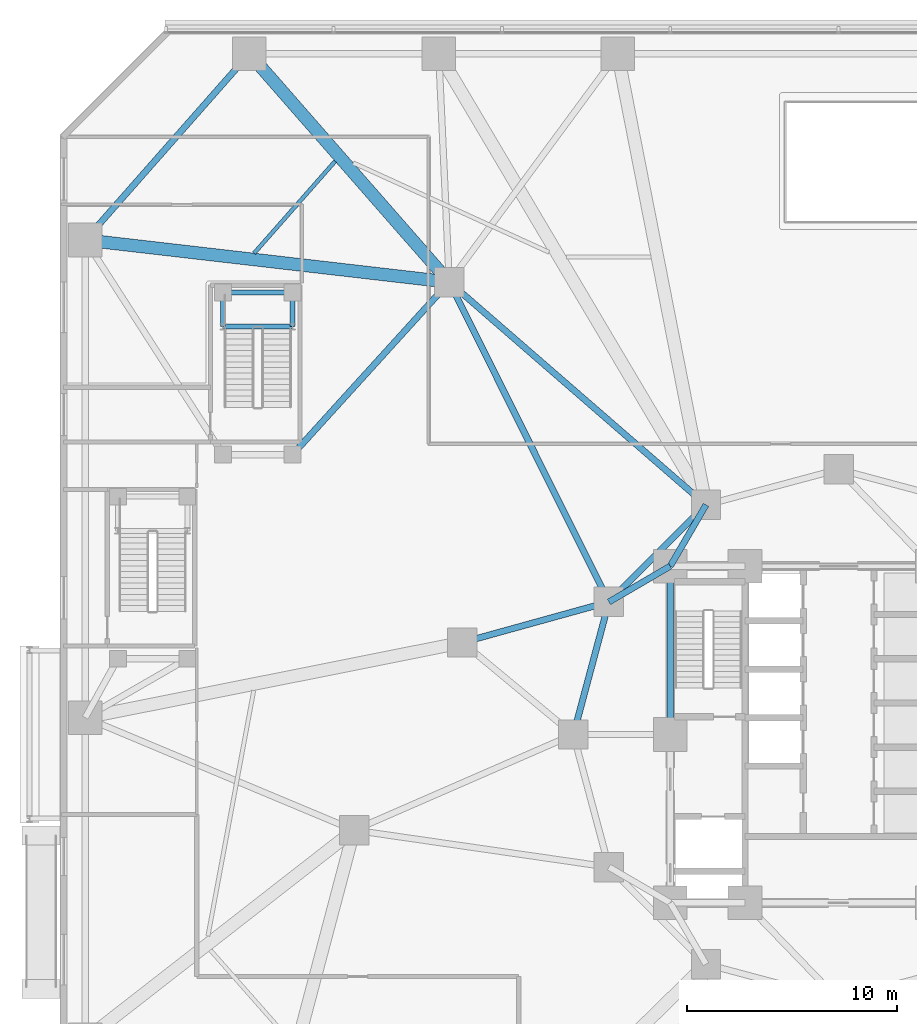
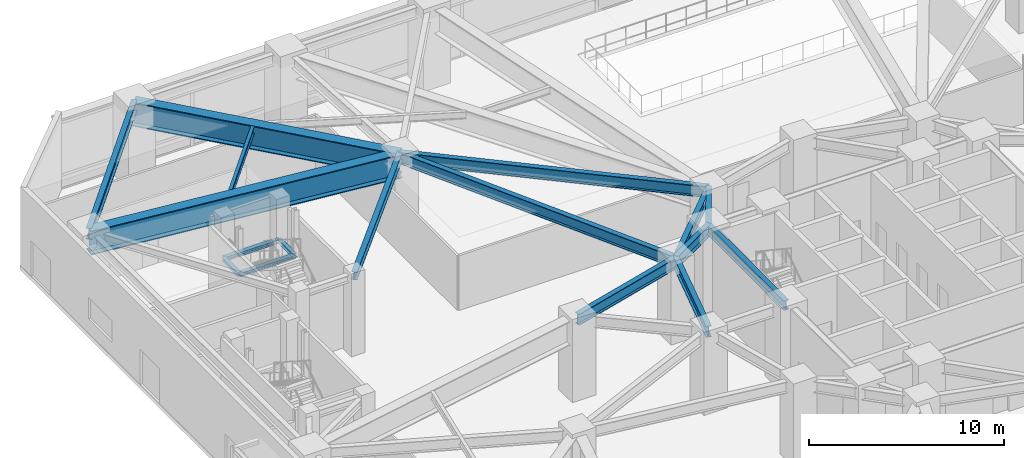
# One storey, part 9 of 30: 17 beams.
"""IFC4 building model written with IfcOpenShell, lengths in metres."""

from ifc_helpers import new_model, si_unit, direction, frame, origin, origin_2d, place, context, subcontext, project, spatial, i_section, extrude, material, material_profile, profile_set, type_object, element, save


model = new_model("IFC4")

# Units and contexts
model_context = context("Model", 3, precision=1e-05, world=origin(), true_north=direction((0.0, 1.0)))
body_context = subcontext(model_context, "Body", "Model", "MODEL_VIEW")
ifc_project = project(units=[si_unit("LENGTHUNIT", "METRE"), si_unit("AREAUNIT", "SQUARE_METRE"), si_unit("VOLUMEUNIT", "CUBIC_METRE"), si_unit("PLANEANGLEUNIT", "RADIAN"), si_unit("MASSUNIT", "GRAM", prefix="KILO")], contexts=[model_context])

# Site, building, storey
site_placement = place(None, origin())
site = spatial("IfcSite", under=ifc_project, at=site_placement, CompositionType="ELEMENT")
building_placement = place(site_placement, origin())
building = spatial("IfcBuilding", under=site, at=building_placement, Name="Terralouvre Media Tower", CompositionType="ELEMENT")
storey_placement = place(building_placement, origin())
storey = spatial("IfcBuildingStorey", under=building, at=storey_placement, Name="L00", CompositionType="ELEMENT", Elevation=0.0)

# Beams
ifc_material_1 = material(Name="Structural steel S355J2", Category="steel")
ifc_material_profile_1 = material_profile(ifc_material_1, i_section(OverallWidth=0.18994140625, OverallDepth=0.449951171875, WebThickness=0.009521484375, FlangeThickness=0.0146484375, at=origin_2d()), Name="IPE 450")
ifc_profile_set_1 = profile_set([ifc_material_profile_1], Name="Structural steel S355J2")
beam_type_1 = type_object("IfcBeamType", Name="Composite Floor Joist J-IPE450 (IPE 450)", PredefinedType="JOIST", material=ifc_profile_set_1)
beam_1_placement = place(storey_placement, frame((-23.923828125, 27.241943359375, 4.72509765625), z_axis=(-0.661186189243, -0.750221849292, 0.0), x_axis=(0.750221849292, -0.661186189243, 0.0)))
element("IfcBeam", 1, at=beam_1_placement, inside=storey, type_object=beam_type_1, Name="L00 Framing Beam JT-L00-16", PredefinedType="JOIST", context=body_context, shape_type="SweptSolid", body=[
    extrude(i_section(OverallWidth=0.18994140625, OverallDepth=0.449951171875, WebThickness=0.009521484375, FlangeThickness=0.0146484375, at=origin_2d()), origin(), (0.0, 0.0, 1.0), 5.82421875),
])
ifc_material_2 = material(Name="Structural steel S355J2", Category="steel")
ifc_material_profile_2 = material_profile(ifc_material_2, i_section(OverallWidth=0.239990234375, OverallDepth=0.239990234375, WebThickness=0.010009765625, FlangeThickness=0.01708984375, at=origin_2d()), Name="HEB 240")
ifc_profile_set_2 = profile_set([ifc_material_profile_2], Name="Structural steel S355J2")
beam_type_2 = type_object("IfcBeamType", Name="Opening Lintel Beam LN-240H (HEB 240)", PredefinedType="LINTEL", material=ifc_profile_set_2)
for number, where, z_axis, x_axis, name in (
    (2, (-29.25, 19.3798828125, 2.280029296875), (0.0, 1.0, 0.0), (-1.0, 0.0, 0.0), "L00 ST-06 Intermediate Landing Support Beam 1W"),
    (3, (-25.949951171875, 19.3798828125, 2.280029296875), (0.0, 1.0, 0.0), (-1.0, 0.0, 0.0), "L00 ST-06 Intermediate Landing Support Beam 1E"),
):
    element("IfcBeam", number, at=place(storey_placement, frame(where, z_axis=z_axis, x_axis=x_axis)), inside=storey, type_object=beam_type_2, Name=name, PredefinedType="LINTEL", context=body_context, shape_type="SweptSolid", body=[
        extrude(i_section(OverallWidth=0.239990234375, OverallDepth=0.239990234375, WebThickness=0.010009765625, FlangeThickness=0.01708984375, at=origin_2d()), origin(), (0.0, 0.0, 1.0), 1.6201171875),
    ])
for number, where, z_axis, x_axis, name in (
    (4, (-29.25, 19.3798828125, 2.280029296875), (1.0, 0.0, 0.0), (0.0, 1.0, 0.0), "L00 ST-06 Intermediate Landing Support Beam 1S"),
    (5, (-29.25, 21.0, 2.280029296875), (1.0, 0.0, 0.0), (0.0, 1.0, 0.0), "L00 ST-06 Intermediate Landing Support Beam 1X"),
):
    element("IfcBeam", number, at=place(storey_placement, frame(where, z_axis=z_axis, x_axis=x_axis)), inside=storey, type_object=beam_type_2, Name=name, PredefinedType="LINTEL", context=body_context, shape_type="SweptSolid", body=[
        extrude(i_section(OverallWidth=0.239990234375, OverallDepth=0.239990234375, WebThickness=0.010009765625, FlangeThickness=0.01708984375, at=origin_2d()), origin(), (0.0, 0.0, 1.0), 3.300048828125),
    ])
ifc_material_3 = material(Name="Structural steel S355J2", Category="steel")
ifc_material_profile_3 = material_profile(ifc_material_3, i_section(OverallWidth=0.300048828125, OverallDepth=0.5, WebThickness=0.014404296875, FlangeThickness=0.028076171875, at=origin_2d()), Name="HEB 500")
ifc_profile_set_3 = profile_set([ifc_material_profile_3], Name="Structural steel S355J2")
beam_type_3 = type_object("IfcBeamType", Name="Primary Floor Girder B-HEB500 (HEB 500)", PredefinedType="BEAM", material=ifc_profile_set_3)
beam_2_placement = place(storey_placement, frame((-25.949951171875, 13.300048828125, 4.699951171875), z_axis=(0.672447909493, 0.740144451454, 0.0), x_axis=(-0.740144451454, 0.672447909493, 0.0)))
element("IfcBeam", 6, at=beam_2_placement, inside=storey, type_object=beam_type_3, Name="L00 Framing Beam BM-L00-PVTST62", PredefinedType="BEAM", context=body_context, shape_type="SweptSolid", body=[
    extrude(i_section(OverallWidth=0.300048828125, OverallDepth=0.5, WebThickness=0.014404296875, FlangeThickness=0.028076171875, at=origin_2d()), origin(), (0.0, 0.0, 1.0), 11.078857421875),
])
ifc_material_4 = material(Name="Structural steel S460M", Category="steel")
ifc_material_profile_4 = material_profile(ifc_material_4, i_section(OverallWidth=0.300048828125, OverallDepth=0.60009765625, WebThickness=0.015380859375, FlangeThickness=0.030029296875, at=origin_2d()), Name="HEB 600")
ifc_profile_set_4 = profile_set([ifc_material_profile_4], Name="Structural steel S460M")
beam_type_4 = type_object("IfcBeamType", Name="Primary Floor Girder B-HEB600 (HEB 600)", PredefinedType="BEAM", material=ifc_profile_set_4)
beam_3_placement = place(storey_placement, frame((-8.0, 8.0, 4.64990234375), z_axis=(0.0, -1.0, 0.0), x_axis=(1.0, 0.0, 0.0)))
element("IfcBeam", 7, at=beam_3_placement, inside=storey, type_object=beam_type_4, Name="L00 Framing Beam BM-L00-CPR09", PredefinedType="BEAM", context=body_context, shape_type="SweptSolid", body=[
    extrude(i_section(OverallWidth=0.300048828125, OverallDepth=0.60009765625, WebThickness=0.015380859375, FlangeThickness=0.030029296875, at=origin_2d()), origin(), (0.0, 0.0, 1.0), 8.0),
])
ifc_material_5 = material(Name="Structural steel S460M", Category="steel")
ifc_material_profile_5 = material_profile(ifc_material_5, i_section(OverallWidth=0.300048828125, OverallDepth=0.699951171875, WebThickness=0.01708984375, FlangeThickness=0.031982421875, at=origin_2d()), Name="HEB 700")
ifc_profile_set_5 = profile_set([ifc_material_profile_5], Name="Structural steel S460M")
beam_type_5 = type_object("IfcBeamType", Name="Primary Floor Girder B-HEB700 (HEB 700)", PredefinedType="BEAM", material=ifc_profile_set_5)
beam_4_placement = place(storey_placement, frame((-6.300048828125, 10.911865234375, 4.60009765625), z_axis=(-0.707106781187, -0.707106781187, 0.0), x_axis=(0.707106781187, -0.707106781187, 0.0)))
element("IfcBeam", 8, at=beam_4_placement, inside=storey, type_object=beam_type_5, Name="L00 Framing Beam BM-L00-MR10", PredefinedType="BEAM", context=body_context, shape_type="SweptSolid", body=[
    extrude(i_section(OverallWidth=0.300048828125, OverallDepth=0.699951171875, WebThickness=0.01708984375, FlangeThickness=0.031982421875, at=origin_2d()), origin(), (0.0, 0.0, 1.0), 6.52197265625),
])
beam_5_placement = place(storey_placement, frame((-10.911865234375, 6.300048828125, 4.60009765625), z_axis=(-0.258838989821, -0.965920481897, 0.0), x_axis=(0.965920481897, -0.258838989821, 0.0)))
element("IfcBeam", 9, at=beam_5_placement, inside=storey, type_object=beam_type_5, Name="L00 Framing Beam BM-L00-MR11", PredefinedType="BEAM", context=body_context, shape_type="SweptSolid", body=[
    extrude(i_section(OverallWidth=0.300048828125, OverallDepth=0.699951171875, WebThickness=0.01708984375, FlangeThickness=0.031982421875, at=origin_2d()), origin(), (0.0, 0.0, 1.0), 6.522216796875),
])
for number, where, z_axis, x_axis, name in (
    (10, (-8.0, 8.0, 4.60009765625), (0.504172629717, 0.863602894532, 0.0), (-0.863602894532, 0.504172629717, 0.0), "L00 Framing Beam BM-L00-CM10"),
    (11, (-8.0, 8.0, 4.60009765625), (-0.863602894532, -0.504172629717, 0.0), (0.504172629717, -0.863602894532, 0.0), "L00 Framing Beam BM-L00-CM11"),
):
    element("IfcBeam", number, at=place(storey_placement, frame(where, z_axis=z_axis, x_axis=x_axis)), inside=storey, type_object=beam_type_5, Name=name, PredefinedType="BEAM", context=body_context, shape_type="SweptSolid", body=[
        extrude(i_section(OverallWidth=0.300048828125, OverallDepth=0.699951171875, WebThickness=0.01708984375, FlangeThickness=0.031982421875, at=origin_2d()), origin(), (0.0, 0.0, 1.0), 3.371826171875),
    ])
beam_6_placement = place(storey_placement, frame((-6.300048828125, 10.911865234375, 4.60009765625), z_axis=(-0.755234116228, 0.65545513171, 0.0), x_axis=(-0.65545513171, -0.755234116228, 0.0)))
element("IfcBeam", 12, at=beam_6_placement, inside=storey, type_object=beam_type_5, Name="L00 Framing Beam BM-L00-PM19M1", PredefinedType="BEAM", context=body_context, shape_type="SweptSolid", body=[
    extrude(i_section(OverallWidth=0.300048828125, OverallDepth=0.699951171875, WebThickness=0.01708984375, FlangeThickness=0.031982421875, at=origin_2d()), origin(), (0.0, 0.0, 1.0), 16.15380859375),
])
beam_7_placement = place(storey_placement, frame((-10.911865234375, 6.300048828125, 4.60009765625), z_axis=(-0.446655925193, 0.894705808906, 0.0), x_axis=(-0.894705808906, -0.446655925193, 0.0)))
element("IfcBeam", 13, at=beam_7_placement, inside=storey, type_object=beam_type_5, Name="L00 Framing Beam BM-L00-PM19M2", PredefinedType="BEAM", context=body_context, shape_type="SweptSolid", body=[
    extrude(i_section(OverallWidth=0.300048828125, OverallDepth=0.699951171875, WebThickness=0.01708984375, FlangeThickness=0.031982421875, at=origin_2d()), origin(), (0.0, 0.0, 1.0), 16.98876953125),
])
beam_8_placement = place(storey_placement, frame((-10.911865234375, 6.300048828125, 4.60009765625), z_axis=(-0.963780816717, -0.266695589254, 0.0), x_axis=(0.266695589254, -0.963780816717, 0.0)))
element("IfcBeam", 14, at=beam_8_placement, inside=storey, type_object=beam_type_5, Name="L00 Framing Beam BM-L00-PM23M2", PredefinedType="BEAM", context=body_context, shape_type="SweptSolid", body=[
    extrude(i_section(OverallWidth=0.300048828125, OverallDepth=0.699951171875, WebThickness=0.01708984375, FlangeThickness=0.031982421875, at=origin_2d()), origin(), (0.0, 0.0, 1.0), 7.224609375),
])
beam_9_placement = place(storey_placement, frame((-28.0, 32.35009765625, 4.60009765625), z_axis=(-0.661199207896, -0.75021037548, 0.0), x_axis=(0.75021037548, -0.661199207896, 0.0)))
element("IfcBeam", 15, at=beam_9_placement, inside=storey, type_object=beam_type_5, Name="L00 Framing Beam BM-L00-PR16", PredefinedType="BEAM", context=body_context, shape_type="SweptSolid", body=[
    extrude(i_section(OverallWidth=0.300048828125, OverallDepth=0.699951171875, WebThickness=0.01708984375, FlangeThickness=0.031982421875, at=origin_2d()), origin(), (0.0, 0.0, 1.0), 11.796875),
])
ifc_material_6 = material(Name="Structural steel S460M", Category="steel")
ifc_material_profile_6 = material_profile(ifc_material_6, i_section(OverallWidth=0.60009765625, OverallDepth=1.5, WebThickness=0.033935546875, FlangeThickness=0.054931640625, at=origin_2d()), Name="PG 1500x600")
ifc_profile_set_6 = profile_set([ifc_material_profile_6], Name="Structural steel S460M")
beam_type_6 = type_object("IfcBeamType", Name="Primary Floor Girder B-PG1500 (PG 1500x600)", PredefinedType="BEAM", material=ifc_profile_set_6)
beam_10_placement = place(storey_placement, frame((-18.5, 21.5, 4.199951171875), z_axis=(-0.658746675471, 0.752364816799, 0.0), x_axis=(-0.752364816799, -0.658746675471, 0.0)))
element("IfcBeam", 16, at=beam_10_placement, inside=storey, type_object=beam_type_6, Name="L00 Framing Beam BM-L00-RD16", PredefinedType="BEAM", context=body_context, shape_type="SweptSolid", body=[
    extrude(i_section(OverallWidth=0.60009765625, OverallDepth=1.5, WebThickness=0.033935546875, FlangeThickness=0.054931640625, at=origin_2d()), origin(), (0.0, 0.0, 1.0), 14.42138671875),
])
beam_11_placement = place(storey_placement, frame((-18.5, 21.5, 4.199951171875), z_axis=(-0.993383801046, 0.114841733791, 0.0), x_axis=(-0.114841733791, -0.993383801046, 0.0)))
element("IfcBeam", 17, at=beam_11_placement, inside=storey, type_object=beam_type_6, Name="L00 Framing Beam BM-L00-RD17", PredefinedType="BEAM", context=body_context, shape_type="SweptSolid", body=[
    extrude(i_section(OverallWidth=0.60009765625, OverallDepth=1.5, WebThickness=0.033935546875, FlangeThickness=0.054931640625, at=origin_2d()), origin(), (0.0, 0.0, 1.0), 17.415283203125),
])

save(model, "model.ifc")
